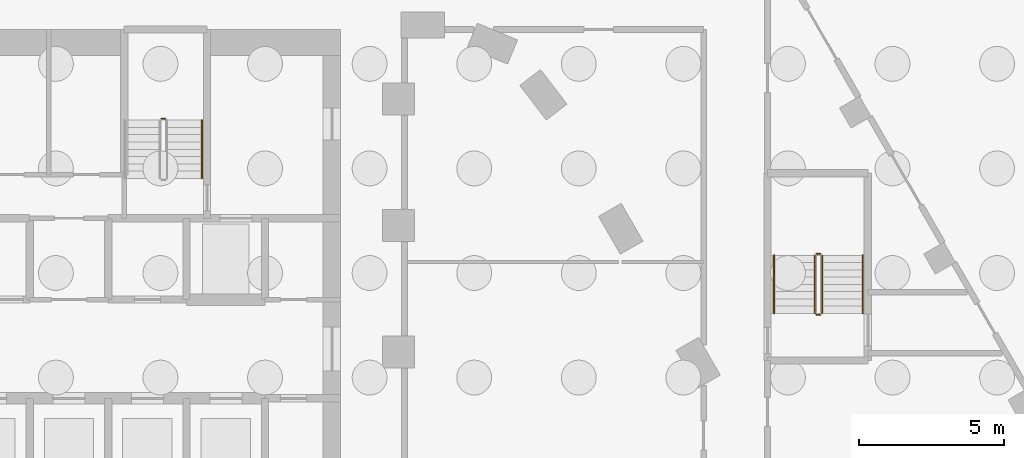
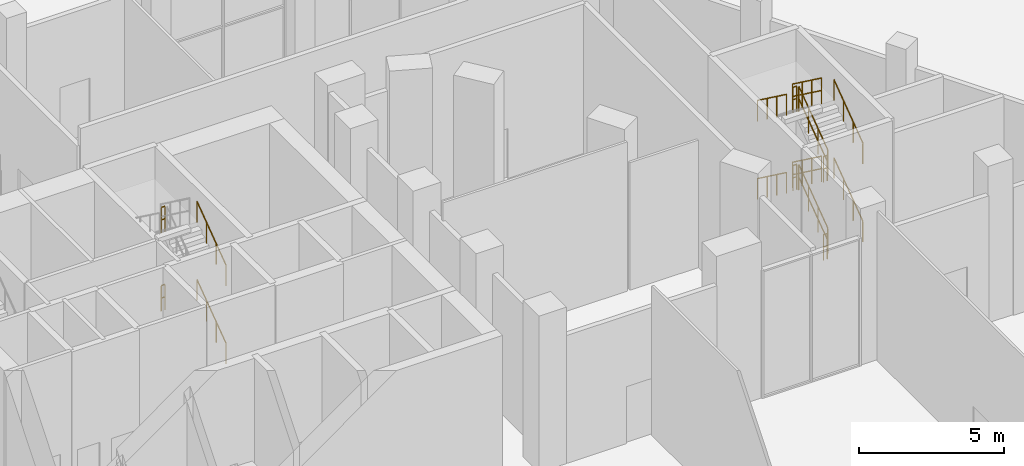
# One storey, part 41 of 44: 16 railings.
"""IFC4 building model written with IfcOpenShell, lengths in metres."""

from ifc_helpers import new_model, si_unit, direction, frame, origin, origin_2d, place, context, subcontext, project, spatial, circle, extrude, material, type_object, element, save


model = new_model("IFC4")

# Units and contexts
model_context = context("Model", 3, precision=1e-05, world=origin(), true_north=direction((0.0, 1.0)))
body_context = subcontext(model_context, "Body", "Model", "MODEL_VIEW")
ifc_project = project(units=[si_unit("LENGTHUNIT", "METRE"), si_unit("AREAUNIT", "SQUARE_METRE"), si_unit("VOLUMEUNIT", "CUBIC_METRE"), si_unit("PLANEANGLEUNIT", "RADIAN"), si_unit("MASSUNIT", "GRAM", prefix="KILO")], contexts=[model_context])

# Site, building, storey
site_placement = place(None, origin())
site = spatial("IfcSite", under=ifc_project, at=site_placement, CompositionType="ELEMENT")
building_placement = place(site_placement, origin())
building = spatial("IfcBuilding", under=site, at=building_placement, Name="Nakaniwa Court", CompositionType="ELEMENT")
storey_placement = place(building_placement, origin())
storey = spatial("IfcBuildingStorey", under=building, at=storey_placement, Name="L00", CompositionType="ELEMENT", Elevation=0.0)

# Railings
ifc_material_1 = material(Name="Black powder coated steel guard", Category="steel")
railing_type_1 = type_object("IfcRailingType", Name="Stair guard 1100", PredefinedType="GUARDRAIL", material=ifc_material_1)
for number, where, name in (
    (1, (81.97509765625, 100.324951171875, 1.64990234375), "L00 ST2 stair guard 2"),
    (2, (81.97509765625, 100.324951171875, 4.949951171875), "L00 ST2 stair guard 6"),
):
    element("IfcRailing", number, at=place(storey_placement, frame(where)), inside=storey, type_object=railing_type_1, Name=name, PredefinedType="GUARDRAIL", context=body_context, shape_type="SweptSolid", body=[
        extrude(circle(Radius=0.02392578125, at=origin_2d()), frame((0.0, 0.0, 1.076171875), z_axis=(-1.0, 0.0, 0.0), x_axis=(0.0, -1.0, 0.0)), (0.0, 0.0, 1.0), 0.150146484375),
        extrude(circle(Radius=0.02392578125, at=origin_2d()), frame((0.0, 0.0, 0.550048828125), z_axis=(-1.0, 0.0, 0.0), x_axis=(0.0, -1.0, 0.0)), (0.0, 0.0, 1.0), 0.150146484375),
        extrude(circle(Radius=0.02099609375, at=origin_2d()), origin(), (0.0, 0.0, 1.0), 1.052001953125),
        extrude(circle(Radius=0.02099609375, at=origin_2d()), frame((-0.150146484375, 0.0, 0.0)), (0.0, 0.0, 1.0), 1.052001953125),
    ])
railing_1_placement = place(storey_placement, frame((104.574951171875, 93.625, 0.183349609375)))
element("IfcRailing", 3, at=railing_1_placement, inside=storey, type_object=railing_type_1, Name="L00 SS1 stair guard 1", PredefinedType="GUARDRAIL", context=body_context, shape_type="SweptSolid", body=[
    extrude(circle(Radius=0.02392578125, at=origin_2d()), frame((0.0, 0.0, 1.076171875), z_axis=(0.0, 0.806426902644, 0.591333789573), x_axis=(-1.0, 0.0, 0.0)), (0.0, 0.0, 1.0), 2.47998046875),
    extrude(circle(Radius=0.02392578125, at=origin_2d()), frame((0.0, 0.0, 0.550048828125), z_axis=(0.0, 0.806426902644, 0.591333789573), x_axis=(-1.0, 0.0, 0.0)), (0.0, 0.0, 1.0), 2.47998046875),
    extrude(circle(Radius=0.02099609375, at=origin_2d()), origin(), (0.0, 0.0, 1.0), 1.052001953125),
    extrude(circle(Radius=0.02099609375, at=origin_2d()), frame((0.0, 0.666748046875, 0.48876953125)), (0.0, 0.0, 1.0), 1.052001953125),
    extrude(circle(Radius=0.02099609375, at=origin_2d()), frame((0.0, 1.333251953125, 0.977783203125)), (0.0, 0.0, 1.0), 1.052001953125),
    extrude(circle(Radius=0.02099609375, at=origin_2d()), frame((0.0, 2.0, 1.466552734375)), (0.0, 0.0, 1.0), 1.052001953125),
])
railing_2_placement = place(storey_placement, frame((104.52490234375, 95.675048828125, 1.64990234375)))
element("IfcRailing", 4, at=railing_2_placement, inside=storey, type_object=railing_type_1, Name="L00 SS1 stair guard 2", PredefinedType="GUARDRAIL", context=body_context, shape_type="SweptSolid", body=[
    extrude(circle(Radius=0.02392578125, at=origin_2d()), frame((0.0, 0.0, 1.076171875), z_axis=(-1.0, 0.0, 0.0), x_axis=(0.0, -1.0, 0.0)), (0.0, 0.0, 1.0), 0.14990234375),
    extrude(circle(Radius=0.02392578125, at=origin_2d()), frame((0.0, 0.0, 0.550048828125), z_axis=(-1.0, 0.0, 0.0), x_axis=(0.0, -1.0, 0.0)), (0.0, 0.0, 1.0), 0.14990234375),
    extrude(circle(Radius=0.02099609375, at=origin_2d()), origin(), (0.0, 0.0, 1.0), 1.052001953125),
    extrude(circle(Radius=0.02099609375, at=origin_2d()), frame((-0.14990234375, 0.0, 0.0)), (0.0, 0.0, 1.0), 1.052001953125),
])
railing_3_placement = place(storey_placement, frame((104.324951171875, 95.625, 1.833251953125)))
element("IfcRailing", 5, at=railing_3_placement, inside=storey, type_object=railing_type_1, Name="L00 SS1 stair guard 3", PredefinedType="GUARDRAIL", context=body_context, shape_type="SweptSolid", body=[
    extrude(circle(Radius=0.02392578125, at=origin_2d()), frame((0.0, 0.0, 1.076171875), z_axis=(0.0, -0.806379959628, 0.591397802423), x_axis=(1.0, 0.0, 0.0)), (0.0, 0.0, 1.0), 2.480224609375),
    extrude(circle(Radius=0.02392578125, at=origin_2d()), frame((0.0, 0.0, 0.550048828125), z_axis=(0.0, -0.806379959628, 0.591397802423), x_axis=(1.0, 0.0, 0.0)), (0.0, 0.0, 1.0), 2.480224609375),
    extrude(circle(Radius=0.02099609375, at=origin_2d()), origin(), (0.0, 0.0, 1.0), 1.052001953125),
    extrude(circle(Radius=0.02099609375, at=origin_2d()), frame((0.0, -0.666748046875, 0.489013671875)), (0.0, 0.0, 1.0), 1.052001953125),
    extrude(circle(Radius=0.02099609375, at=origin_2d()), frame((0.0, -1.333251953125, 0.977783203125)), (0.0, 0.0, 1.0), 1.052001953125),
    extrude(circle(Radius=0.02099609375, at=origin_2d()), frame((0.0, -2.0, 1.466796875)), (0.0, 0.0, 1.0), 1.052001953125),
])
railing_4_placement = place(storey_placement, frame((104.52490234375, 93.574951171875, 3.300048828125)))
element("IfcRailing", 6, at=railing_4_placement, inside=storey, type_object=railing_type_1, Name="L00 SS1 stair guard 4", PredefinedType="GUARDRAIL", context=body_context, shape_type="SweptSolid", body=[
    extrude(circle(Radius=0.02392578125, at=origin_2d()), frame((0.0, 0.0, 1.076171875), z_axis=(-1.0, 0.0, 0.0), x_axis=(0.0, -1.0, 0.0)), (0.0, 0.0, 1.0), 0.14990234375),
    extrude(circle(Radius=0.02392578125, at=origin_2d()), frame((0.0, 0.0, 0.550048828125), z_axis=(-1.0, 0.0, 0.0), x_axis=(0.0, -1.0, 0.0)), (0.0, 0.0, 1.0), 0.14990234375),
    extrude(circle(Radius=0.02099609375, at=origin_2d()), origin(), (0.0, 0.0, 1.0), 1.052001953125),
    extrude(circle(Radius=0.02099609375, at=origin_2d()), frame((-0.14990234375, 0.0, 0.0)), (0.0, 0.0, 1.0), 1.052001953125),
])
railing_5_placement = place(storey_placement, frame((104.574951171875, 93.625, 3.4833984375)))
element("IfcRailing", 7, at=railing_5_placement, inside=storey, type_object=railing_type_1, Name="L00 SS1 stair guard 5", PredefinedType="GUARDRAIL", context=body_context, shape_type="SweptSolid", body=[
    extrude(circle(Radius=0.02392578125, at=origin_2d()), frame((0.0, 0.0, 1.076171875), z_axis=(0.0, 0.806426902644, 0.591333789573), x_axis=(-1.0, 0.0, 0.0)), (0.0, 0.0, 1.0), 2.47998046875),
    extrude(circle(Radius=0.02392578125, at=origin_2d()), frame((0.0, 0.0, 0.550048828125), z_axis=(0.0, 0.806426902644, 0.591333789573), x_axis=(-1.0, 0.0, 0.0)), (0.0, 0.0, 1.0), 2.47998046875),
    extrude(circle(Radius=0.02099609375, at=origin_2d()), origin(), (0.0, 0.0, 1.0), 1.052001953125),
    extrude(circle(Radius=0.02099609375, at=origin_2d()), frame((0.0, 0.666748046875, 0.48876953125)), (0.0, 0.0, 1.0), 1.052001953125),
    extrude(circle(Radius=0.02099609375, at=origin_2d()), frame((0.0, 1.333251953125, 0.977783203125)), (0.0, 0.0, 1.0), 1.052001953125),
    extrude(circle(Radius=0.02099609375, at=origin_2d()), frame((0.0, 2.0, 1.466552734375)), (0.0, 0.0, 1.0), 1.052001953125),
])
railing_6_placement = place(storey_placement, frame((104.52490234375, 95.675048828125, 4.949951171875)))
element("IfcRailing", 8, at=railing_6_placement, inside=storey, type_object=railing_type_1, Name="L00 SS1 stair guard 6", PredefinedType="GUARDRAIL", context=body_context, shape_type="SweptSolid", body=[
    extrude(circle(Radius=0.02392578125, at=origin_2d()), frame((0.0, 0.0, 1.076171875), z_axis=(-1.0, 0.0, 0.0), x_axis=(0.0, -1.0, 0.0)), (0.0, 0.0, 1.0), 0.14990234375),
    extrude(circle(Radius=0.02392578125, at=origin_2d()), frame((0.0, 0.0, 0.550048828125), z_axis=(-1.0, 0.0, 0.0), x_axis=(0.0, -1.0, 0.0)), (0.0, 0.0, 1.0), 0.14990234375),
    extrude(circle(Radius=0.02099609375, at=origin_2d()), origin(), (0.0, 0.0, 1.0), 1.052001953125),
    extrude(circle(Radius=0.02099609375, at=origin_2d()), frame((-0.14990234375, 0.0, 0.0)), (0.0, 0.0, 1.0), 1.052001953125),
])
railing_7_placement = place(storey_placement, frame((104.324951171875, 95.625, 5.13330078125)))
element("IfcRailing", 9, at=railing_7_placement, inside=storey, type_object=railing_type_1, Name="L00 SS1 stair guard 7", PredefinedType="GUARDRAIL", context=body_context, shape_type="SweptSolid", body=[
    extrude(circle(Radius=0.02392578125, at=origin_2d()), frame((0.0, 0.0, 1.076171875), z_axis=(0.0, -0.806379959628, 0.591397802423), x_axis=(1.0, 0.0, 0.0)), (0.0, 0.0, 1.0), 2.480224609375),
    extrude(circle(Radius=0.02392578125, at=origin_2d()), frame((0.0, 0.0, 0.550048828125), z_axis=(0.0, -0.806379959628, 0.591397802423), x_axis=(1.0, 0.0, 0.0)), (0.0, 0.0, 1.0), 2.480224609375),
    extrude(circle(Radius=0.02099609375, at=origin_2d()), origin(), (0.0, 0.0, 1.0), 1.052001953125),
    extrude(circle(Radius=0.02099609375, at=origin_2d()), frame((0.0, -0.666748046875, 0.489013671875)), (0.0, 0.0, 1.0), 1.052001953125),
    extrude(circle(Radius=0.02099609375, at=origin_2d()), frame((0.0, -1.333251953125, 0.977783203125)), (0.0, 0.0, 1.0), 1.052001953125),
    extrude(circle(Radius=0.02099609375, at=origin_2d()), frame((0.0, -2.0, 1.466796875)), (0.0, 0.0, 1.0), 1.052001953125),
])
railing_8_placement = place(storey_placement, frame((104.52490234375, 93.574951171875, 0.0)))
element("IfcRailing", 10, at=railing_8_placement, inside=storey, type_object=railing_type_1, Name="L00 SS1 stair guard 8", PredefinedType="GUARDRAIL", context=body_context, shape_type="SweptSolid", body=[
    extrude(circle(Radius=0.02392578125, at=origin_2d()), frame((0.0, 0.0, 1.076171875), z_axis=(-1.0, 0.0, 0.0), x_axis=(0.0, -1.0, 0.0)), (0.0, 0.0, 1.0), 0.14990234375),
    extrude(circle(Radius=0.02392578125, at=origin_2d()), frame((0.0, 0.0, 0.550048828125), z_axis=(-1.0, 0.0, 0.0), x_axis=(0.0, -1.0, 0.0)), (0.0, 0.0, 1.0), 0.14990234375),
    extrude(circle(Radius=0.02099609375, at=origin_2d()), origin(), (0.0, 0.0, 1.0), 1.052001953125),
    extrude(circle(Radius=0.02099609375, at=origin_2d()), frame((-0.14990234375, 0.0, 0.0)), (0.0, 0.0, 1.0), 1.052001953125),
])
ifc_material_2 = material(Name="Black powder coated steel handrail", Category="steel")
railing_type_2 = type_object("IfcRailingType", Name="Stair handrail 900", PredefinedType="HANDRAIL", material=ifc_material_2)
for number, where, name in (
    (11, (83.22509765625, 98.27490234375, 0.183349609375), "L00 ST2 stair handrail 1"),
    (12, (83.22509765625, 98.27490234375, 3.4833984375), "L00 ST2 stair handrail 3"),
    (13, (105.97509765625, 93.625, 0.183349609375), "L00 SS1 stair handrail 1"),
):
    element("IfcRailing", number, at=place(storey_placement, frame(where)), inside=storey, type_object=railing_type_2, Name=name, PredefinedType="HANDRAIL", context=body_context, shape_type="SweptSolid", body=[
        extrude(circle(Radius=0.02392578125, at=origin_2d()), frame((0.0, 0.0, 0.8759765625), z_axis=(0.0, 0.806426902644, 0.591333789573), x_axis=(-1.0, 0.0, 0.0)), (0.0, 0.0, 1.0), 2.47998046875),
        extrude(circle(Radius=0.02099609375, at=origin_2d()), origin(), (0.0, 0.0, 1.0), 0.851806640625),
        extrude(circle(Radius=0.02099609375, at=origin_2d()), frame((0.0, 0.666748046875, 0.48876953125)), (0.0, 0.0, 1.0), 0.851806640625),
        extrude(circle(Radius=0.02099609375, at=origin_2d()), frame((0.0, 1.333251953125, 0.977783203125)), (0.0, 0.0, 1.0), 0.851806640625),
        extrude(circle(Radius=0.02099609375, at=origin_2d()), frame((0.0, 2.0, 1.466552734375)), (0.0, 0.0, 1.0), 0.851806640625),
    ])
railing_9_placement = place(storey_placement, frame((102.925048828125, 95.625, 1.833251953125)))
element("IfcRailing", 14, at=railing_9_placement, inside=storey, type_object=railing_type_2, Name="L00 SS1 stair handrail 2", PredefinedType="HANDRAIL", context=body_context, shape_type="SweptSolid", body=[
    extrude(circle(Radius=0.02392578125, at=origin_2d()), frame((0.0, 0.0, 0.8759765625), z_axis=(0.0, -0.806379959628, 0.591397802423), x_axis=(1.0, 0.0, 0.0)), (0.0, 0.0, 1.0), 2.480224609375),
    extrude(circle(Radius=0.02099609375, at=origin_2d()), origin(), (0.0, 0.0, 1.0), 0.851806640625),
    extrude(circle(Radius=0.02099609375, at=origin_2d()), frame((0.0, -0.666748046875, 0.489013671875)), (0.0, 0.0, 1.0), 0.851806640625),
    extrude(circle(Radius=0.02099609375, at=origin_2d()), frame((0.0, -1.333251953125, 0.977783203125)), (0.0, 0.0, 1.0), 0.851806640625),
    extrude(circle(Radius=0.02099609375, at=origin_2d()), frame((0.0, -2.0, 1.466796875)), (0.0, 0.0, 1.0), 0.851806640625),
])
railing_10_placement = place(storey_placement, frame((105.97509765625, 93.625, 3.4833984375)))
element("IfcRailing", 15, at=railing_10_placement, inside=storey, type_object=railing_type_2, Name="L00 SS1 stair handrail 3", PredefinedType="HANDRAIL", context=body_context, shape_type="SweptSolid", body=[
    extrude(circle(Radius=0.02392578125, at=origin_2d()), frame((0.0, 0.0, 0.8759765625), z_axis=(0.0, 0.806426902644, 0.591333789573), x_axis=(-1.0, 0.0, 0.0)), (0.0, 0.0, 1.0), 2.47998046875),
    extrude(circle(Radius=0.02099609375, at=origin_2d()), origin(), (0.0, 0.0, 1.0), 0.851806640625),
    extrude(circle(Radius=0.02099609375, at=origin_2d()), frame((0.0, 0.666748046875, 0.48876953125)), (0.0, 0.0, 1.0), 0.851806640625),
    extrude(circle(Radius=0.02099609375, at=origin_2d()), frame((0.0, 1.333251953125, 0.977783203125)), (0.0, 0.0, 1.0), 0.851806640625),
    extrude(circle(Radius=0.02099609375, at=origin_2d()), frame((0.0, 2.0, 1.466552734375)), (0.0, 0.0, 1.0), 0.851806640625),
])
railing_11_placement = place(storey_placement, frame((102.925048828125, 95.625, 5.13330078125)))
element("IfcRailing", 16, at=railing_11_placement, inside=storey, type_object=railing_type_2, Name="L00 SS1 stair handrail 4", PredefinedType="HANDRAIL", context=body_context, shape_type="SweptSolid", body=[
    extrude(circle(Radius=0.02392578125, at=origin_2d()), frame((0.0, 0.0, 0.8759765625), z_axis=(0.0, -0.806379959628, 0.591397802423), x_axis=(1.0, 0.0, 0.0)), (0.0, 0.0, 1.0), 2.480224609375),
    extrude(circle(Radius=0.02099609375, at=origin_2d()), origin(), (0.0, 0.0, 1.0), 0.851806640625),
    extrude(circle(Radius=0.02099609375, at=origin_2d()), frame((0.0, -0.666748046875, 0.489013671875)), (0.0, 0.0, 1.0), 0.851806640625),
    extrude(circle(Radius=0.02099609375, at=origin_2d()), frame((0.0, -1.333251953125, 0.977783203125)), (0.0, 0.0, 1.0), 0.851806640625),
    extrude(circle(Radius=0.02099609375, at=origin_2d()), frame((0.0, -2.0, 1.466796875)), (0.0, 0.0, 1.0), 0.851806640625),
])

save(model, "model.ifc")
